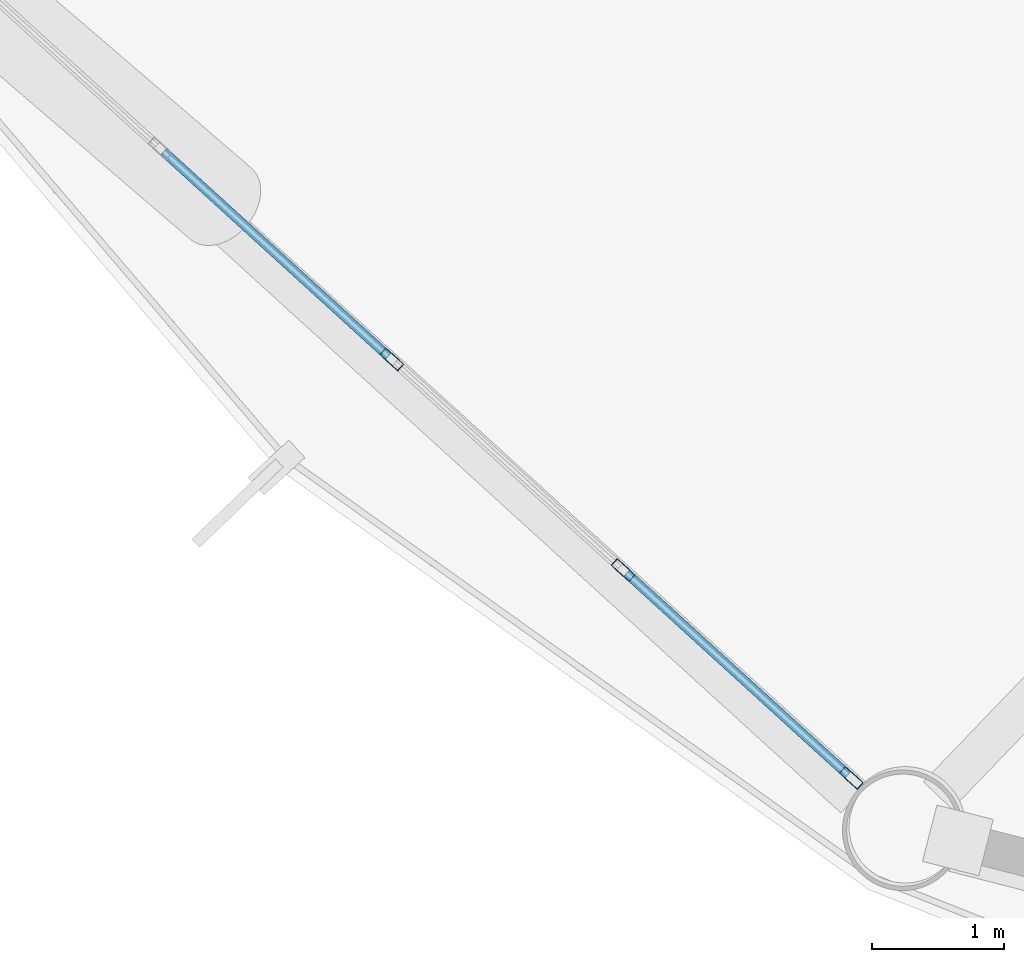
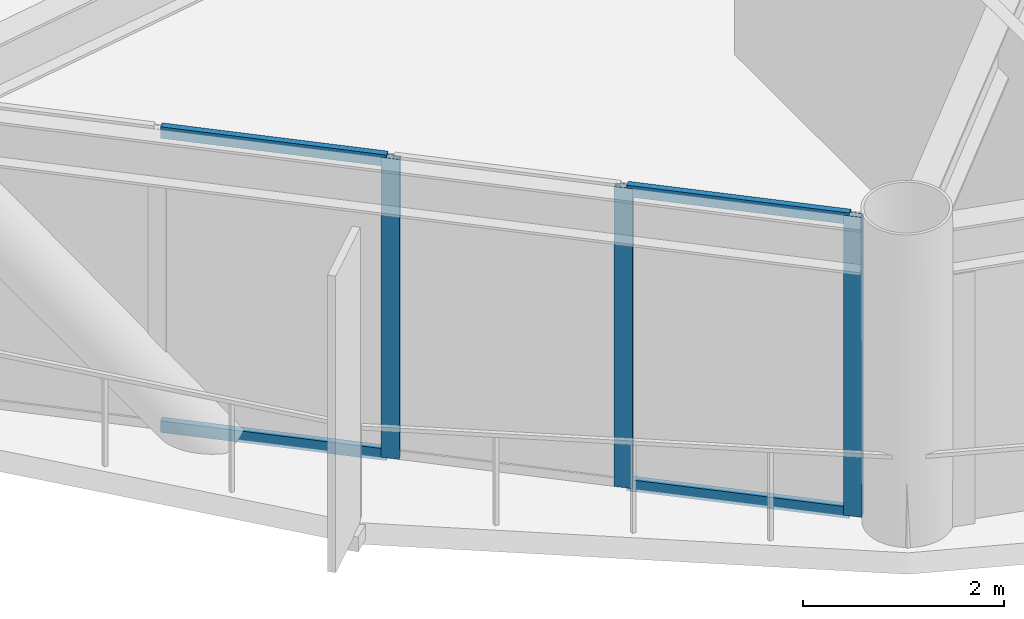
# One storey, part 2 of 25: 7 members, 1 element without a shape of its own.
"""IFC4 building model written with IfcOpenShell, lengths in metres."""

from ifc_helpers import new_model, si_unit, direction, frame, origin, origin_2d, place, context, subcontext, project, spatial, hollow_rectangle, extrude, material, layer, layer_set, material_profile, profile_set, type_object, element, aggregate, save


model = new_model("IFC4")

# Units and contexts
model_context = context("Model", 3, precision=1e-05, world=origin(), true_north=direction((0.0, 1.0)))
body_context = subcontext(model_context, "Body", "Model", "MODEL_VIEW")
ifc_project = project(units=[si_unit("LENGTHUNIT", "METRE"), si_unit("AREAUNIT", "SQUARE_METRE"), si_unit("VOLUMEUNIT", "CUBIC_METRE"), si_unit("PLANEANGLEUNIT", "RADIAN"), si_unit("MASSUNIT", "GRAM", prefix="KILO")], contexts=[model_context])

# Site, building, storey
site_placement = place(None, origin())
site = spatial("IfcSite", under=ifc_project, at=site_placement, CompositionType="ELEMENT")
building_placement = place(site_placement, origin())
building = spatial("IfcBuilding", under=site, at=building_placement, Name="Varnakorn Sky Granary", CompositionType="ELEMENT")
storey_placement = place(building_placement, frame((0.0, 0.0, 58.800048828125)))
storey = spatial("IfcBuildingStorey", under=building, at=storey_placement, Name="L14", CompositionType="ELEMENT", Elevation=58.800048828125)

# Curtain wall, members
ifc_material = material(Name="Anodised Bronze Aluminium Alloy 6063-T6", Category="aluminium")
ifc_layer = layer(ifc_material, 0.18994140625, Name="Anodised Bronze Aluminium Alloy 6063-T6")
ifc_layer_set = layer_set([ifc_layer], Name="Anodised Bronze Aluminium Alloy 6063-T6")
curtain_wall_type = type_object("IfcCurtainWallType", Name="CW-FRM-1", PredefinedType="USERDEFINED", material=ifc_layer_set)
curtain_wall_placement = place(storey_placement, origin())
curtain_wall = element("IfcCurtainWall", 1, at=curtain_wall_placement, inside=storey, type_object=curtain_wall_type, Name="Unitised Curtain Wall CW3 CW-L14-B08", ObjectType="CURTAIN WALL", PredefinedType="USERDEFINED")
ifc_material_profile_1 = material_profile(ifc_material, hollow_rectangle(XDim=0.070068359375, YDim=0.18505859375, WallThickness=0.00390625, at=origin_2d()), Name="ALU MULL 70x185")
ifc_profile_set_1 = profile_set([ifc_material_profile_1], Name="Anodised Bronze Aluminium Alloy 6063-T6")
member_type_1 = type_object("IfcMemberType", Name="CW-FRM-1-MULL", PredefinedType="MULLION", material=ifc_profile_set_1)
member_1_placement = place(storey_placement, frame((-12.53466796875, -16.39013671875, 0.0), z_axis=(0.0, 0.0, 1.0), x_axis=(-0.67331886602, -0.739352219623, 0.0)))
member_1 = element("IfcMember", 2, at=member_1_placement, type_object=member_type_1, Name="CW3 mullion 1", PredefinedType="MULLION", context=body_context, shape_type="SweptSolid", body=[
    extrude(hollow_rectangle(XDim=0.070068359375, YDim=0.18505859375, WallThickness=0.00390625, at=origin_2d()), origin(), (0.0, 0.0, 1.0), 3.639892578125),
])
member_2_placement = place(storey_placement, frame((-14.262451171875, -14.816650390625, 0.0), z_axis=(0.0, 0.0, 1.0), x_axis=(-0.67331886602, -0.739352219623, 0.0)))
member_2 = element("IfcMember", 3, at=member_2_placement, type_object=member_type_1, Name="CW3 mullion 2", PredefinedType="MULLION", context=body_context, shape_type="SweptSolid", body=[
    extrude(hollow_rectangle(XDim=0.070068359375, YDim=0.18505859375, WallThickness=0.00390625, at=origin_2d()), origin(), (0.0, 0.0, 1.0), 3.639892578125),
])
member_3_placement = place(storey_placement, frame((-16.01611328125, -13.2197265625, 0.0), z_axis=(0.0, 0.0, 1.0), x_axis=(-0.67331886602, -0.739352219623, 0.0)))
member_3 = element("IfcMember", 4, at=member_3_placement, type_object=member_type_1, Name="CW3 mullion 3", PredefinedType="MULLION", context=body_context, shape_type="SweptSolid", body=[
    extrude(hollow_rectangle(XDim=0.070068359375, YDim=0.18505859375, WallThickness=0.00390625, at=origin_2d()), origin(), (0.0, 0.0, 1.0), 3.639892578125),
])
ifc_material_profile_2 = material_profile(ifc_material, hollow_rectangle(XDim=0.070068359375, YDim=0.139892578125, WallThickness=0.00341796875, at=origin_2d()), Name="ALU TRAN 70x140")
ifc_profile_set_2 = profile_set([ifc_material_profile_2], Name="Anodised Bronze Aluminium Alloy 6063-T6")
member_type_2 = type_object("IfcMemberType", Name="CW-FRM-1-TRAN", PredefinedType="USERDEFINED", material=ifc_profile_set_2)
member_4_placement = place(storey_placement, frame((-12.560546875, -16.36669921875, 0.034912109375), z_axis=(-0.739345253663, 0.673326515062, 0.0), x_axis=(-0.673326515062, -0.739345253663, 0.0)))
member_4 = element("IfcMember", 5, at=member_4_placement, type_object=member_type_2, Name="CW3 transom 1.1", ObjectType="TRANSOM", PredefinedType="USERDEFINED", context=body_context, shape_type="SweptSolid", body=[
    extrude(hollow_rectangle(XDim=0.070068359375, YDim=0.139892578125, WallThickness=0.00341796875, at=origin_2d()), origin(), (0.0, 0.0, 1.0), 2.266845703125),
])
member_5_placement = place(storey_placement, frame((-12.560546875, -16.36669921875, 3.60498046875), z_axis=(-0.739345253663, 0.673326515062, 0.0), x_axis=(-0.673326515062, -0.739345253663, 0.0)))
member_5 = element("IfcMember", 6, at=member_5_placement, type_object=member_type_2, Name="CW3 transom 1.2", ObjectType="TRANSOM", PredefinedType="USERDEFINED", context=body_context, shape_type="SweptSolid", body=[
    extrude(hollow_rectangle(XDim=0.070068359375, YDim=0.139892578125, WallThickness=0.00341796875, at=origin_2d()), origin(), (0.0, 0.0, 1.0), 2.266845703125),
])
member_6_placement = place(storey_placement, frame((-16.0419921875, -13.196044921875, 0.034912109375), z_axis=(-0.739373495564, 0.673295502775, 0.0), x_axis=(-0.673295502775, -0.739373495564, 0.0)))
member_6 = element("IfcMember", 7, at=member_6_placement, type_object=member_type_2, Name="CW3 transom 3.1", ObjectType="TRANSOM", PredefinedType="USERDEFINED", context=body_context, shape_type="SweptSolid", body=[
    extrude(hollow_rectangle(XDim=0.070068359375, YDim=0.139892578125, WallThickness=0.00341796875, at=origin_2d()), origin(), (0.0, 0.0, 1.0), 2.3017578125),
])
member_7_placement = place(storey_placement, frame((-16.0419921875, -13.196044921875, 3.60498046875), z_axis=(-0.739373495564, 0.673295502775, 0.0), x_axis=(-0.673295502775, -0.739373495564, 0.0)))
member_7 = element("IfcMember", 8, at=member_7_placement, type_object=member_type_2, Name="CW3 transom 3.2", ObjectType="TRANSOM", PredefinedType="USERDEFINED", context=body_context, shape_type="SweptSolid", body=[
    extrude(hollow_rectangle(XDim=0.070068359375, YDim=0.139892578125, WallThickness=0.00341796875, at=origin_2d()), origin(), (0.0, 0.0, 1.0), 2.3017578125),
])
aggregate(curtain_wall, [member_1, member_2, member_3, member_4, member_5, member_6, member_7])

save(model, "model.ifc")
